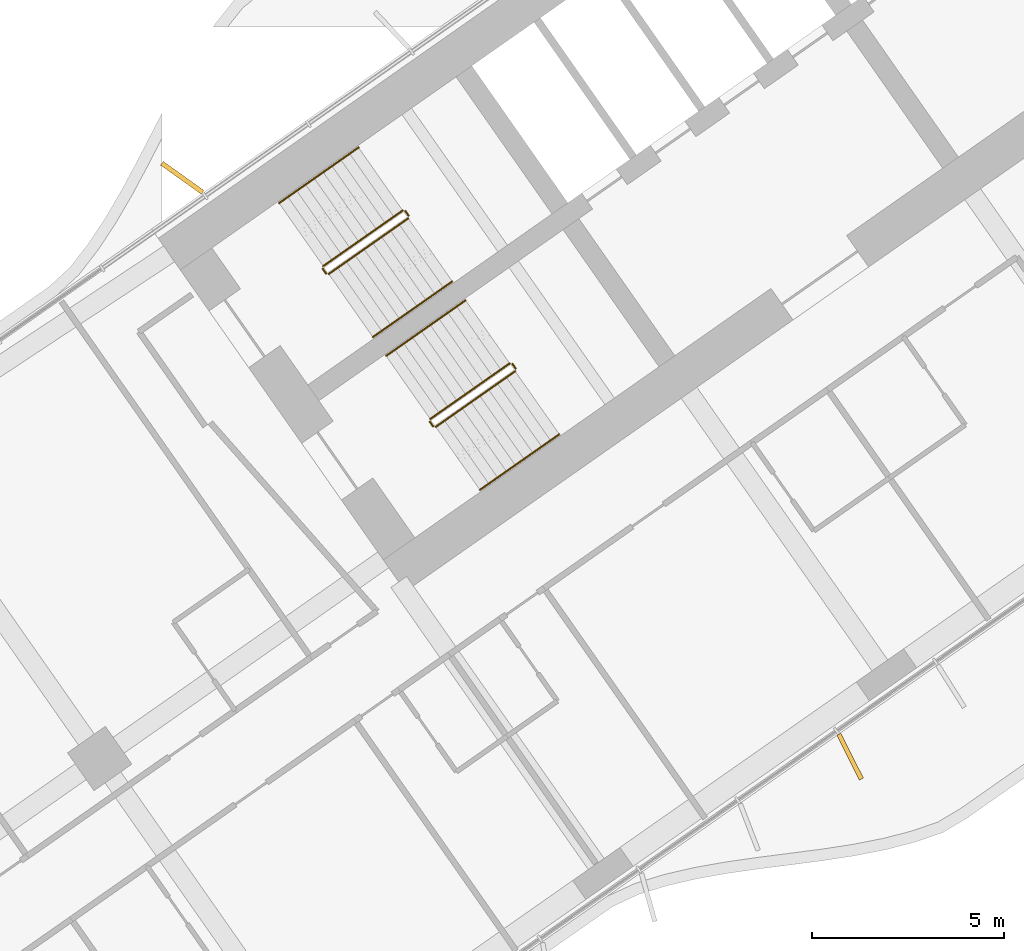
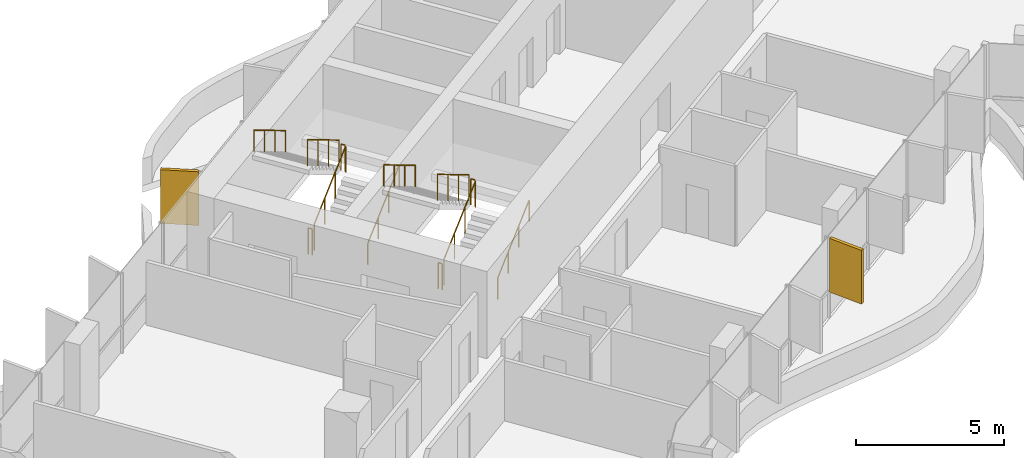
# One storey, part 19 of 23: 12 railings, 2 shading devices.
"""IFC4 building model written with IfcOpenShell, lengths in metres."""

from ifc_helpers import new_model, si_unit, direction, frame, origin, origin_2d, place, context, subcontext, project, spatial, rectangle, circle, extrude, material, layer, layer_set, type_object, element, save


model = new_model("IFC4")

# Units and contexts
model_context = context("Model", 3, precision=1e-05, world=origin(), true_north=direction((0.0, 1.0)))
body_context = subcontext(model_context, "Body", "Model", "MODEL_VIEW")
ifc_project = project(units=[si_unit("LENGTHUNIT", "METRE"), si_unit("AREAUNIT", "SQUARE_METRE"), si_unit("VOLUMEUNIT", "CUBIC_METRE"), si_unit("PLANEANGLEUNIT", "RADIAN"), si_unit("MASSUNIT", "GRAM", prefix="KILO")], contexts=[model_context])

# Site, building, storey
site_placement = place(None, origin())
site = spatial("IfcSite", under=ifc_project, at=site_placement, CompositionType="ELEMENT")
building_placement = place(site_placement, origin())
building = spatial("IfcBuilding", under=site, at=building_placement, Name="Tel Ilan Convention Tower", CompositionType="ELEMENT")
storey_placement = place(building_placement, frame((0.0, 0.0, 83.300048828125)))
storey = spatial("IfcBuildingStorey", under=building, at=storey_placement, Name="L16", CompositionType="ELEMENT", Elevation=83.300048828125)

# Shading devices
ifc_material_1 = material(Name="Aluminium, bronze anodised", Category="aluminium")
ifc_layer = layer(ifc_material_1, 0.1201171875)
ifc_layer_set = layer_set([ifc_layer], Name="FIN BRONZE 1300x120")
shading_device_type = type_object("IfcShadingDeviceType", Name="FIN BRONZE 1300x120", PredefinedType="USERDEFINED", material=ifc_layer_set)
for number, where, z_axis, x_axis, name in (
    (1, (-27.3427734375, -5.555419921875, 1.10009765625), (0.0, 0.0, 1.0), (-0.813552070258, 0.581492071294, 0.0), "FIN"),
    (2, (-9.9833984375, -20.603759765625, 1.10009765625), (0.0, 0.0, 1.0), (0.448799180206, -0.893632640321, 0.0), "FIN"),
):
    element("IfcShadingDevice", number, at=place(storey_placement, frame(where, z_axis=z_axis, x_axis=x_axis)), inside=storey, type_object=shading_device_type, Name=name, ObjectType="FIN", PredefinedType="USERDEFINED", context=body_context, shape_type="SweptSolid", body=[
        extrude(rectangle(XDim=1.300048828125, YDim=0.1201171875, at=origin_2d()), origin(), (0.0, 0.0, 1.0), 2.219970703125),
    ])

# Railings
ifc_material_2 = material(Name="Stainless Steel Grade 316", Category="steel")
railing_type_1 = type_object("IfcRailingType", Name="Stainless Steel Stair Guard 1100 mm", PredefinedType="GUARDRAIL", material=ifc_material_2)
railing_1_placement = place(storey_placement, frame((-23.535400390625, -8.056396484375, 0.179931640625)))
element("IfcRailing", 3, at=railing_1_placement, inside=storey, type_object=railing_type_1, Name="L16 S1 stair guard 1", PredefinedType="GUARDRAIL", context=body_context, shape_type="SweptSolid", body=[
    extrude(circle(Radius=0.02392578125, at=origin_2d()), frame((0.0, 0.0, 1.076171875), z_axis=(0.689013013563, 0.482512838948, 0.540779462804), x_axis=(-0.573624882958, 0.819118119475, 0.0)), (0.0, 0.0, 1.0), 2.995849609375),
    extrude(circle(Radius=0.02099609375, at=origin_2d()), origin(), (0.0, 0.0, 1.0), 1.052001953125),
    extrude(circle(Radius=0.02099609375, at=origin_2d()), frame((0.68798828125, 0.48193359375, 0.5400390625)), (0.0, 0.0, 1.0), 1.052001953125),
    extrude(circle(Radius=0.02099609375, at=origin_2d()), frame((1.376220703125, 0.963623046875, 1.080078125)), (0.0, 0.0, 1.0), 1.052001953125),
    extrude(circle(Radius=0.02099609375, at=origin_2d()), frame((2.064208984375, 1.445556640625, 1.6201171875)), (0.0, 0.0, 1.0), 1.052001953125),
])
railing_2_placement = place(storey_placement, frame((-21.458984375, -6.541259765625, 1.800048828125)))
element("IfcRailing", 4, at=railing_2_placement, inside=storey, type_object=railing_type_1, Name="L16 S1 stair guard 2", PredefinedType="GUARDRAIL", context=body_context, shape_type="SweptSolid", body=[
    extrude(circle(Radius=0.02392578125, at=origin_2d()), frame((0.0, 0.0, 1.076171875), z_axis=(-0.573353020881, 0.819308436089, 0.0), x_axis=(-0.819308436089, -0.573353020881, 0.0)), (0.0, 0.0, 1.0), 0.14990234375),
    extrude(circle(Radius=0.02099609375, at=origin_2d()), origin(), (0.0, 0.0, 1.0), 1.052001953125),
    extrude(circle(Radius=0.02099609375, at=origin_2d()), frame((-0.0859375, 0.122802734375, 0.0)), (0.0, 0.0, 1.0), 1.052001953125),
])
railing_3_placement = place(storey_placement, frame((-21.614501953125, -6.406005859375, 1.97998046875)))
element("IfcRailing", 5, at=railing_3_placement, inside=storey, type_object=railing_type_1, Name="L16 S1 stair guard 3", PredefinedType="GUARDRAIL", context=body_context, shape_type="SweptSolid", body=[
    extrude(circle(Radius=0.02392578125, at=origin_2d()), frame((0.0, 0.0, 1.076171875), z_axis=(-0.689043377453, -0.48253410265, 0.540721798865), x_axis=(0.573624882958, -0.819118119475, 0.0)), (0.0, 0.0, 1.0), 2.995849609375),
    extrude(circle(Radius=0.02099609375, at=origin_2d()), origin(), (0.0, 0.0, 1.0), 1.052001953125),
    extrude(circle(Radius=0.02099609375, at=origin_2d()), frame((-0.68798828125, -0.48193359375, 0.5400390625)), (0.0, 0.0, 1.0), 1.052001953125),
    extrude(circle(Radius=0.02099609375, at=origin_2d()), frame((-1.376220703125, -0.963623046875, 1.079833984375)), (0.0, 0.0, 1.0), 1.052001953125),
    extrude(circle(Radius=0.02099609375, at=origin_2d()), frame((-2.064208984375, -1.445556640625, 1.619873046875)), (0.0, 0.0, 1.0), 1.052001953125),
])
railing_4_placement = place(storey_placement, frame((-23.60498046875, -8.0439453125, 0.0)))
element("IfcRailing", 6, at=railing_4_placement, inside=storey, type_object=railing_type_1, Name="L16 S1 stair guard 4", PredefinedType="GUARDRAIL", context=body_context, shape_type="SweptSolid", body=[
    extrude(circle(Radius=0.02392578125, at=origin_2d()), frame((0.0, 0.0, 1.076171875), z_axis=(-0.574444878118, 0.818543268254, 0.0), x_axis=(-0.818543268254, -0.574444878118, 0.0)), (0.0, 0.0, 1.0), 0.150146484375),
    extrude(circle(Radius=0.02099609375, at=origin_2d()), origin(), (0.0, 0.0, 1.0), 1.052001953125),
    extrude(circle(Radius=0.02099609375, at=origin_2d()), frame((-0.086181640625, 0.122802734375, 0.0)), (0.0, 0.0, 1.0), 1.052001953125),
])
railing_5_placement = place(storey_placement, frame((-20.753662109375, -12.029296875, 0.179931640625)))
element("IfcRailing", 7, at=railing_5_placement, inside=storey, type_object=railing_type_1, Name="L16 S2 stair guard 1", PredefinedType="GUARDRAIL", context=body_context, shape_type="SweptSolid", body=[
    extrude(circle(Radius=0.02392578125, at=origin_2d()), frame((0.0, 0.0, 1.076171875), z_axis=(0.689055814419, 0.482485747064, 0.540749099395), x_axis=(-0.573579365141, 0.81914999352, 0.0)), (0.0, 0.0, 1.0), 2.99609375),
    extrude(circle(Radius=0.02099609375, at=origin_2d()), origin(), (0.0, 0.0, 1.0), 1.052001953125),
    extrude(circle(Radius=0.02099609375, at=origin_2d()), frame((0.688232421875, 0.48193359375, 0.5400390625)), (0.0, 0.0, 1.0), 1.052001953125),
    extrude(circle(Radius=0.02099609375, at=origin_2d()), frame((1.376220703125, 0.963623046875, 1.080078125)), (0.0, 0.0, 1.0), 1.052001953125),
    extrude(circle(Radius=0.02099609375, at=origin_2d()), frame((2.064453125, 1.445556640625, 1.6201171875)), (0.0, 0.0, 1.0), 1.052001953125),
])
railing_6_placement = place(storey_placement, frame((-18.677001953125, -10.51416015625, 1.800048828125)))
element("IfcRailing", 8, at=railing_6_placement, inside=storey, type_object=railing_type_1, Name="L16 S2 stair guard 2", PredefinedType="GUARDRAIL", context=body_context, shape_type="SweptSolid", body=[
    extrude(circle(Radius=0.02392578125, at=origin_2d()), frame((0.0, 0.0, 1.076171875), z_axis=(-0.573353020881, 0.819308436089, 0.0), x_axis=(-0.819308436089, -0.573353020881, 0.0)), (0.0, 0.0, 1.0), 0.14990234375),
    extrude(circle(Radius=0.02099609375, at=origin_2d()), origin(), (0.0, 0.0, 1.0), 1.052001953125),
    extrude(circle(Radius=0.02099609375, at=origin_2d()), frame((-0.0859375, 0.122802734375, 0.0)), (0.0, 0.0, 1.0), 1.052001953125),
])
railing_7_placement = place(storey_placement, frame((-18.832763671875, -10.37890625, 1.97998046875)))
element("IfcRailing", 9, at=railing_7_placement, inside=storey, type_object=railing_type_1, Name="L16 S2 stair guard 3", PredefinedType="GUARDRAIL", context=body_context, shape_type="SweptSolid", body=[
    extrude(circle(Radius=0.02392578125, at=origin_2d()), frame((0.0, 0.0, 1.076171875), z_axis=(-0.689043377453, -0.48253410265, 0.540721798865), x_axis=(0.573624882958, -0.819118119475, 0.0)), (0.0, 0.0, 1.0), 2.995849609375),
    extrude(circle(Radius=0.02099609375, at=origin_2d()), origin(), (0.0, 0.0, 1.0), 1.052001953125),
    extrude(circle(Radius=0.02099609375, at=origin_2d()), frame((-0.68798828125, -0.48193359375, 0.5400390625)), (0.0, 0.0, 1.0), 1.052001953125),
    extrude(circle(Radius=0.02099609375, at=origin_2d()), frame((-1.376220703125, -0.963623046875, 1.079833984375)), (0.0, 0.0, 1.0), 1.052001953125),
    extrude(circle(Radius=0.02099609375, at=origin_2d()), frame((-2.064208984375, -1.445556640625, 1.619873046875)), (0.0, 0.0, 1.0), 1.052001953125),
])
railing_8_placement = place(storey_placement, frame((-20.8232421875, -12.016845703125, 0.0)))
element("IfcRailing", 10, at=railing_8_placement, inside=storey, type_object=railing_type_1, Name="L16 S2 stair guard 4", PredefinedType="GUARDRAIL", context=body_context, shape_type="SweptSolid", body=[
    extrude(circle(Radius=0.02392578125, at=origin_2d()), frame((0.0, 0.0, 1.076171875), z_axis=(-0.573353020881, 0.819308436089, 0.0), x_axis=(-0.819308436089, -0.573353020881, 0.0)), (0.0, 0.0, 1.0), 0.14990234375),
    extrude(circle(Radius=0.02099609375, at=origin_2d()), origin(), (0.0, 0.0, 1.0), 1.052001953125),
    extrude(circle(Radius=0.02099609375, at=origin_2d()), frame((-0.0859375, 0.122802734375, 0.0)), (0.0, 0.0, 1.0), 1.052001953125),
])
ifc_material_3 = material(Name="Stainless Steel Grade 316", Category="steel")
railing_type_2 = type_object("IfcRailingType", Name="Stainless Steel Stair Handrail 900 mm", PredefinedType="HANDRAIL", material=ifc_material_3)
railing_9_placement = place(storey_placement, frame((-22.38818359375, -9.694580078125, 0.179931640625)))
element("IfcRailing", 11, at=railing_9_placement, inside=storey, type_object=railing_type_2, Name="L16 S1 stair handrail 1", PredefinedType="HANDRAIL", context=body_context, shape_type="SweptSolid", body=[
    extrude(circle(Radius=0.02392578125, at=origin_2d()), frame((0.0, 0.0, 0.8759765625), z_axis=(0.689040105437, 0.482450316285, 0.54080072616), x_axis=(-0.573559875649, 0.819163639968, 0.0)), (0.0, 0.0, 1.0), 2.995849609375),
    extrude(circle(Radius=0.02099609375, at=origin_2d()), origin(), (0.0, 0.0, 1.0), 0.851806640625),
    extrude(circle(Radius=0.02099609375, at=origin_2d()), frame((0.68798828125, 0.481689453125, 0.5400390625)), (0.0, 0.0, 1.0), 0.851806640625),
    extrude(circle(Radius=0.02099609375, at=origin_2d()), frame((1.376220703125, 0.963623046875, 1.080078125)), (0.0, 0.0, 1.0), 0.851806640625),
    extrude(circle(Radius=0.02099609375, at=origin_2d()), frame((2.064208984375, 1.4453125, 1.6201171875)), (0.0, 0.0, 1.0), 0.851806640625),
])
railing_10_placement = place(storey_placement, frame((-22.76171875, -4.767822265625, 1.97998046875)))
element("IfcRailing", 12, at=railing_10_placement, inside=storey, type_object=railing_type_2, Name="L16 S1 stair handrail 2", PredefinedType="HANDRAIL", context=body_context, shape_type="SweptSolid", body=[
    extrude(circle(Radius=0.02392578125, at=origin_2d()), frame((0.0, 0.0, 0.8759765625), z_axis=(-0.68907047291, -0.482471578903, 0.540743061828), x_axis=(0.573559875649, -0.819163639968, 0.0)), (0.0, 0.0, 1.0), 2.99560546875),
    extrude(circle(Radius=0.02099609375, at=origin_2d()), origin(), (0.0, 0.0, 1.0), 0.851806640625),
    extrude(circle(Radius=0.02099609375, at=origin_2d()), frame((-0.68798828125, -0.481689453125, 0.5400390625)), (0.0, 0.0, 1.0), 0.851806640625),
    extrude(circle(Radius=0.02099609375, at=origin_2d()), frame((-1.376220703125, -0.963623046875, 1.079833984375)), (0.0, 0.0, 1.0), 0.851806640625),
    extrude(circle(Radius=0.02099609375, at=origin_2d()), frame((-2.064208984375, -1.4453125, 1.619873046875)), (0.0, 0.0, 1.0), 0.851806640625),
])
railing_11_placement = place(storey_placement, frame((-19.6064453125, -13.66748046875, 0.179931640625)))
element("IfcRailing", 13, at=railing_11_placement, inside=storey, type_object=railing_type_2, Name="L16 S2 stair handrail 1", PredefinedType="HANDRAIL", context=body_context, shape_type="SweptSolid", body=[
    extrude(circle(Radius=0.02392578125, at=origin_2d()), frame((0.0, 0.0, 0.8759765625), z_axis=(0.689040105437, 0.482450316285, 0.54080072616), x_axis=(-0.573559875649, 0.819163639968, 0.0)), (0.0, 0.0, 1.0), 2.995849609375),
    extrude(circle(Radius=0.02099609375, at=origin_2d()), origin(), (0.0, 0.0, 1.0), 0.851806640625),
    extrude(circle(Radius=0.02099609375, at=origin_2d()), frame((0.68798828125, 0.481689453125, 0.5400390625)), (0.0, 0.0, 1.0), 0.851806640625),
    extrude(circle(Radius=0.02099609375, at=origin_2d()), frame((1.376220703125, 0.963623046875, 1.080078125)), (0.0, 0.0, 1.0), 0.851806640625),
    extrude(circle(Radius=0.02099609375, at=origin_2d()), frame((2.064208984375, 1.4453125, 1.6201171875)), (0.0, 0.0, 1.0), 0.851806640625),
])
railing_12_placement = place(storey_placement, frame((-19.979736328125, -8.74072265625, 1.97998046875)))
element("IfcRailing", 14, at=railing_12_placement, inside=storey, type_object=railing_type_2, Name="L16 S2 stair handrail 2", PredefinedType="HANDRAIL", context=body_context, shape_type="SweptSolid", body=[
    extrude(circle(Radius=0.02392578125, at=origin_2d()), frame((0.0, 0.0, 0.8759765625), z_axis=(-0.689113270881, -0.482444484817, 0.540712695399), x_axis=(0.573514357932, -0.81919550856, 0.0)), (0.0, 0.0, 1.0), 2.995849609375),
    extrude(circle(Radius=0.02099609375, at=origin_2d()), origin(), (0.0, 0.0, 1.0), 0.851806640625),
    extrude(circle(Radius=0.02099609375, at=origin_2d()), frame((-0.688232421875, -0.481689453125, 0.5400390625)), (0.0, 0.0, 1.0), 0.851806640625),
    extrude(circle(Radius=0.02099609375, at=origin_2d()), frame((-1.376220703125, -0.963623046875, 1.079833984375)), (0.0, 0.0, 1.0), 0.851806640625),
    extrude(circle(Radius=0.02099609375, at=origin_2d()), frame((-2.064453125, -1.4453125, 1.619873046875)), (0.0, 0.0, 1.0), 0.851806640625),
])

save(model, "model.ifc")
